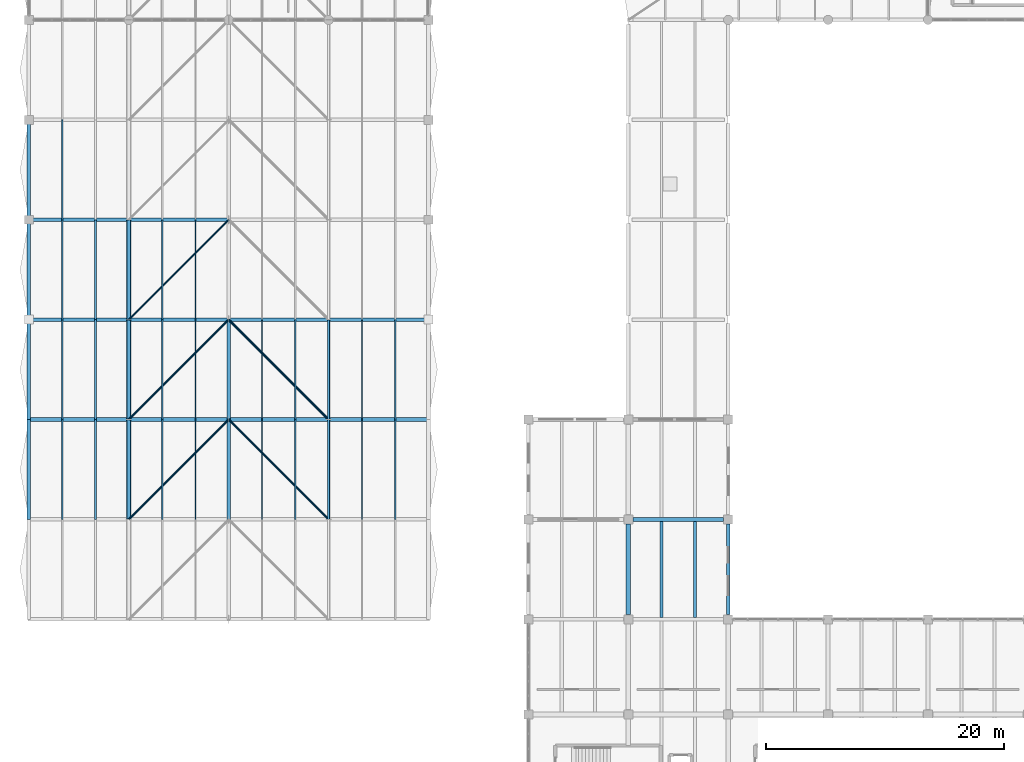
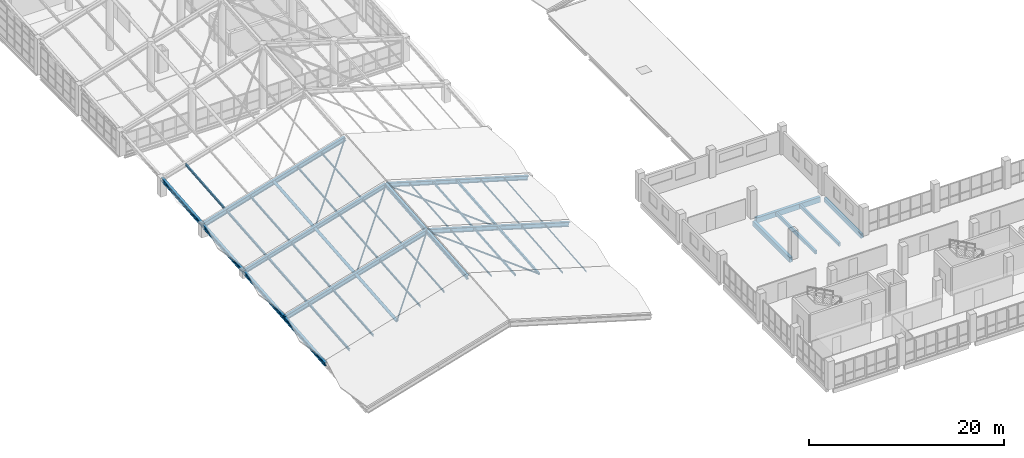
# One storey, part 13 of 95: 42 members, 5 beams.
"""IFC4 building model written with IfcOpenShell, lengths in metres."""

from ifc_helpers import new_model, si_unit, direction, frame, origin, origin_2d, place, context, subcontext, project, spatial, rectangle, hollow_rectangle, hollow_circle, i_section, extrude, material, material_profile, profile_set, type_object, element, save


model = new_model("IFC4")

# Units and contexts
model_context = context("Model", 3, precision=1e-05, world=origin(), true_north=direction((0.0, 1.0)))
body_context = subcontext(model_context, "Body", "Model", "MODEL_VIEW")
ifc_project = project(units=[si_unit("LENGTHUNIT", "METRE"), si_unit("AREAUNIT", "SQUARE_METRE"), si_unit("VOLUMEUNIT", "CUBIC_METRE"), si_unit("PLANEANGLEUNIT", "RADIAN"), si_unit("MASSUNIT", "GRAM", prefix="KILO"), si_unit("THERMODYNAMICTEMPERATUREUNIT", "KELVIN"), si_unit("POWERUNIT", "WATT")], contexts=[model_context])

# Site, building, storey
site_placement = place(None, origin())
site = spatial("IfcSite", under=ifc_project, at=site_placement, CompositionType="ELEMENT")
building_placement = place(site_placement, origin())
building = spatial("IfcBuilding", under=site, at=building_placement, Name="Mavoryth Pier Ferry Terminal", CompositionType="ELEMENT")
storey_placement = place(building_placement, frame((0.0, 0.0, 9.60009765625)))
storey = spatial("IfcBuildingStorey", under=building, at=storey_placement, Name="L02", CompositionType="ELEMENT", Elevation=9.60009765625)

# Members
ifc_material_1 = material(Name="Steel S355J2", Category="steel")
ifc_material_profile_1 = material_profile(ifc_material_1, hollow_circle(Radius=0.096923828125, WallThickness=0.010009765625, at=origin_2d()), Name="CHS 193.7x10.0", Category="steel")
ifc_profile_set_1 = profile_set([ifc_material_profile_1], Name="Steel S355J2 - CHS 193.7x10.0")
member_type_1 = type_object("IfcMemberType", Name="Brace-Plan-CHS194", PredefinedType="BRACE", material=ifc_profile_set_1)
member_1_placement = place(storey_placement, frame((25.199951171875, 30.39990234375, 1.65576171875), z_axis=(-0.682865434317, 0.682885281594, 0.259542849636), x_axis=(-0.707117056885, -0.707096505339, 0.0)))
element("IfcMember", 1, at=member_1_placement, inside=storey, type_object=member_type_1, Name="Steel Member MB-L02-0054", PredefinedType="BRACE", context=body_context, shape_type="SweptSolid", body=[
    extrude(hollow_circle(Radius=0.096923828125, WallThickness=0.010009765625, at=origin_2d()), origin(), (0.0, 0.0, 1.0), 12.301025390625),
])
member_2_placement = place(storey_placement, frame((25.199951171875, 38.800048828125, 2.3701171875), z_axis=(-0.682878207153, 0.682878207153, 0.259527856674), x_axis=(-0.707106781187, -0.707106781187, 0.0)))
element("IfcMember", 2, at=member_2_placement, inside=storey, type_object=member_type_1, Name="Steel Member MB-L02-0069", PredefinedType="BRACE", context=body_context, shape_type="SweptSolid", body=[
    extrude(hollow_circle(Radius=0.096923828125, WallThickness=0.010009765625, at=origin_2d()), origin(), (0.0, 0.0, 1.0), 12.30078125),
])
ifc_material_profile_2 = material_profile(ifc_material_1, hollow_circle(Radius=0.084228515625, WallThickness=0.008056640625, at=origin_2d()), Name="CHS 168.3x8.0", Category="steel")
ifc_profile_set_2 = profile_set([ifc_material_profile_2], Name="Steel S355J2 - CHS 168.3x8.0")
member_type_2 = type_object("IfcMemberType", Name="Brace-Roof-CHS168", PredefinedType="BRACE", material=ifc_profile_set_2)
member_3_placement = place(storey_placement, frame((8.39990234375, 30.39990234375, 1.65576171875), z_axis=(0.68287602649, 0.68287602649, 0.259539332067), x_axis=(-0.707106781187, 0.707106781187, 0.0)))
element("IfcMember", 3, at=member_3_placement, inside=storey, type_object=member_type_2, Name="Steel Member MB-L02-0053", PredefinedType="BRACE", context=body_context, shape_type="SweptSolid", body=[
    extrude(hollow_circle(Radius=0.084228515625, WallThickness=0.008056640625, at=origin_2d()), origin(), (0.0, 0.0, 1.0), 12.301025390625),
])
member_4_placement = place(storey_placement, frame((8.39990234375, 38.800048828125, 2.3701171875), z_axis=(0.682888799179, 0.682868951799, 0.259524339177), x_axis=(-0.707096505339, 0.707117056885, 0.0)))
element("IfcMember", 4, at=member_4_placement, inside=storey, type_object=member_type_2, Name="Steel Member MB-L02-0068", PredefinedType="BRACE", context=body_context, shape_type="SweptSolid", body=[
    extrude(hollow_circle(Radius=0.084228515625, WallThickness=0.008056640625, at=origin_2d()), origin(), (0.0, 0.0, 1.0), 12.30078125),
])
member_5_placement = place(storey_placement, frame((8.39990234375, 47.199951171875, 3.08447265625), z_axis=(0.682879543932, 0.682879543932, 0.259520821823), x_axis=(-0.707106781187, 0.707106781187, 0.0)))
element("IfcMember", 5, at=member_5_placement, inside=storey, type_object=member_type_2, Name="Steel Member MB-L02-0083", PredefinedType="BRACE", context=body_context, shape_type="SweptSolid", body=[
    extrude(hollow_circle(Radius=0.084228515625, WallThickness=0.008056640625, at=origin_2d()), origin(), (0.0, 0.0, 1.0), 12.301025390625),
])
ifc_material_profile_3 = material_profile(ifc_material_1, i_section(OverallWidth=0.300048828125, OverallDepth=0.449951171875, WebThickness=0.013916015625, FlangeThickness=0.02587890625, FilletRadius=0.027099609375, at=origin_2d()), Name="HEB 450", Category="steel")
ifc_profile_set_3 = profile_set([ifc_material_profile_3], Name="Steel S355J2 - HEB 450")
member_type_3 = type_object("IfcMemberType", Name="Chord-Eave-HEB450", PredefinedType="CHORD", material=ifc_profile_set_3)
member_6_placement = place(storey_placement, frame((0.0, 30.39990234375, -0.842529296875), z_axis=(0.0, 0.996403523637, 0.084734987362), x_axis=(-1.0, 0.0, 0.0)))
element("IfcMember", 6, at=member_6_placement, inside=storey, type_object=member_type_3, Name="Steel Member MB-L02-0040", PredefinedType="CHORD", context=body_context, shape_type="SweptSolid", body=[
    extrude(i_section(OverallWidth=0.300048828125, OverallDepth=0.449951171875, WebThickness=0.013916015625, FlangeThickness=0.02587890625, FilletRadius=0.027099609375, at=origin_2d()), origin(), (0.0, 0.0, 1.0), 8.430419921875),
])
member_7_placement = place(storey_placement, frame((0.0, 38.800048828125, -0.128173828125), z_axis=(0.0, 0.9964033157, 0.084737432475), x_axis=(-1.0, 0.0, 0.0)))
element("IfcMember", 7, at=member_7_placement, inside=storey, type_object=member_type_3, Name="Steel Member MB-L02-0055", PredefinedType="CHORD", context=body_context, shape_type="SweptSolid", body=[
    extrude(i_section(OverallWidth=0.300048828125, OverallDepth=0.449951171875, WebThickness=0.013916015625, FlangeThickness=0.02587890625, FilletRadius=0.027099609375, at=origin_2d()), origin(), (0.0, 0.0, 1.0), 8.43017578125),
])
member_8_placement = place(storey_placement, frame((0.0, 47.199951171875, 0.586181640625), z_axis=(0.0, 0.996403523637, 0.084734987362), x_axis=(-1.0, 0.0, 0.0)))
element("IfcMember", 8, at=member_8_placement, inside=storey, type_object=member_type_3, Name="Steel Member MB-L02-0070", PredefinedType="CHORD", context=body_context, shape_type="SweptSolid", body=[
    extrude(i_section(OverallWidth=0.300048828125, OverallDepth=0.449951171875, WebThickness=0.013916015625, FlangeThickness=0.02587890625, FilletRadius=0.027099609375, at=origin_2d()), origin(), (0.0, 0.0, 1.0), 8.430419921875),
])
member_9_placement = place(storey_placement, frame((0.0, 55.60009765625, 1.300537109375), z_axis=(0.0, 0.9964033157, 0.084737432475), x_axis=(-1.0, 0.0, 0.0)))
element("IfcMember", 9, at=member_9_placement, inside=storey, type_object=member_type_3, Name="Steel Member MB-L02-0085", PredefinedType="CHORD", context=body_context, shape_type="SweptSolid", body=[
    extrude(i_section(OverallWidth=0.300048828125, OverallDepth=0.449951171875, WebThickness=0.013916015625, FlangeThickness=0.02587890625, FilletRadius=0.027099609375, at=origin_2d()), origin(), (0.0, 0.0, 1.0), 8.43017578125),
])
ifc_material_profile_4 = material_profile(ifc_material_1, hollow_rectangle(XDim=0.199951171875, YDim=0.300048828125, WallThickness=0.012451171875, InnerFilletRadius=0.012451171875, OuterFilletRadius=0.02490234375, at=origin_2d()), Name="RHS 300x200x12.5", Category="steel")
ifc_profile_set_4 = profile_set([ifc_material_profile_4], Name="Steel S355J2 - RHS 300x200x12.5")
member_type_4 = type_object("IfcMemberType", Name="Chord-Edge-RHS300", PredefinedType="CHORD", material=ifc_profile_set_4)
member_10_placement = place(storey_placement, frame((25.199951171875, 30.39990234375, 1.65576171875), z_axis=(0.0, 0.996403523637, 0.084734987362), x_axis=(-1.0, 0.0, 0.0)))
element("IfcMember", 10, at=member_10_placement, inside=storey, type_object=member_type_4, Name="Steel Member MB-L02-0044", PredefinedType="CHORD", context=body_context, shape_type="SweptSolid", body=[
    extrude(hollow_rectangle(XDim=0.199951171875, YDim=0.300048828125, WallThickness=0.012451171875, InnerFilletRadius=0.012451171875, OuterFilletRadius=0.02490234375, at=origin_2d()), origin(), (0.0, 0.0, 1.0), 8.430419921875),
])
member_11_placement = place(storey_placement, frame((25.199951171875, 38.800048828125, 2.3701171875), z_axis=(0.0, 0.9964033157, 0.084737432475), x_axis=(-1.0, 0.0, 0.0)))
element("IfcMember", 11, at=member_11_placement, inside=storey, type_object=member_type_4, Name="Steel Member MB-L02-0059", PredefinedType="CHORD", context=body_context, shape_type="SweptSolid", body=[
    extrude(hollow_rectangle(XDim=0.199951171875, YDim=0.300048828125, WallThickness=0.012451171875, InnerFilletRadius=0.012451171875, OuterFilletRadius=0.02490234375, at=origin_2d()), origin(), (0.0, 0.0, 1.0), 8.43017578125),
])
ifc_material_profile_5 = material_profile(ifc_material_1, i_section(OverallWidth=0.300048828125, OverallDepth=0.489990234375, WebThickness=0.011962890625, FlangeThickness=0.02294921875, FilletRadius=0.027099609375, at=origin_2d()), Name="HEA 500", Category="steel")
ifc_profile_set_5 = profile_set([ifc_material_profile_5], Name="Steel S355J2 - HEA 500")
member_type_5 = type_object("IfcMemberType", Name="Chord-Ridge-HEA500", PredefinedType="CHORD", material=ifc_profile_set_5)
member_12_placement = place(storey_placement, frame((16.800048828125, 30.39990234375, 4.1337890625), z_axis=(0.0, 0.996401078186, 0.084763738653), x_axis=(-1.0, 0.0, 0.0)))
element("IfcMember", 12, at=member_12_placement, inside=storey, type_object=member_type_5, Name="Steel Member MB-L02-0041", PredefinedType="CHORD", context=body_context, shape_type="SweptSolid", body=[
    extrude(i_section(OverallWidth=0.300048828125, OverallDepth=0.489990234375, WebThickness=0.011962890625, FlangeThickness=0.02294921875, FilletRadius=0.027099609375, at=origin_2d()), origin(), (0.0, 0.0, 1.0), 8.430419921875),
])
member_13_placement = place(storey_placement, frame((16.800048828125, 38.800048828125, 4.848388671875), z_axis=(0.0, 0.996405760474, 0.084708680154), x_axis=(-1.0, 0.0, 0.0)))
element("IfcMember", 13, at=member_13_placement, inside=storey, type_object=member_type_5, Name="Steel Member MB-L02-0056", PredefinedType="CHORD", context=body_context, shape_type="SweptSolid", body=[
    extrude(i_section(OverallWidth=0.300048828125, OverallDepth=0.489990234375, WebThickness=0.011962890625, FlangeThickness=0.02294921875, FilletRadius=0.027099609375, at=origin_2d()), origin(), (0.0, 0.0, 1.0), 8.43017578125),
])
ifc_material_profile_6 = material_profile(ifc_material_1, hollow_circle(Radius=0.177734375, WallThickness=0.01611328125, at=origin_2d()), Name="CHS 355.6x16.0", Category="steel")
ifc_profile_set_6 = profile_set([ifc_material_profile_6], Name="Steel S355J2 - CHS 355.6x16.0")
member_type_6 = type_object("IfcMemberType", Name="Chord-Valley-CHS356", PredefinedType="CHORD", material=ifc_profile_set_6)
member_14_placement = place(storey_placement, frame((8.39990234375, 30.39990234375, 1.65576171875), z_axis=(0.0, 0.996403523637, 0.084734987362), x_axis=(-1.0, 0.0, 0.0)))
element("IfcMember", 14, at=member_14_placement, inside=storey, type_object=member_type_6, Name="Steel Member MB-L02-0043", PredefinedType="CHORD", context=body_context, shape_type="SweptSolid", body=[
    extrude(hollow_circle(Radius=0.177734375, WallThickness=0.01611328125, at=origin_2d()), origin(), (0.0, 0.0, 1.0), 8.430419921875),
])
member_15_placement = place(storey_placement, frame((8.39990234375, 38.800048828125, 2.3701171875), z_axis=(0.0, 0.9964033157, 0.084737432475), x_axis=(-1.0, 0.0, 0.0)))
element("IfcMember", 15, at=member_15_placement, inside=storey, type_object=member_type_6, Name="Steel Member MB-L02-0058", PredefinedType="CHORD", context=body_context, shape_type="SweptSolid", body=[
    extrude(hollow_circle(Radius=0.177734375, WallThickness=0.01611328125, at=origin_2d()), origin(), (0.0, 0.0, 1.0), 8.43017578125),
])
member_16_placement = place(storey_placement, frame((8.39990234375, 47.199951171875, 3.08447265625), z_axis=(0.0, 0.996403523637, 0.084734987362), x_axis=(-1.0, 0.0, 0.0)))
element("IfcMember", 16, at=member_16_placement, inside=storey, type_object=member_type_6, Name="Steel Member MB-L02-0073", PredefinedType="CHORD", context=body_context, shape_type="SweptSolid", body=[
    extrude(hollow_circle(Radius=0.177734375, WallThickness=0.01611328125, at=origin_2d()), origin(), (0.0, 0.0, 1.0), 8.430419921875),
])

# Beams
ifc_material_2 = material(Name="Concrete C35/45", Category="concrete")
ifc_material_profile_7 = material_profile(ifc_material_2, rectangle(XDim=0.35009765625, YDim=0.60009765625, at=origin_2d()), Name="RC 350x600", Category="concrete")
ifc_profile_set_7 = profile_set([ifc_material_profile_7], Name="Concrete C35/45 - RC 350x600")
beam_type_1 = type_object("IfcBeamType", Name="Girder-RC-350x600", PredefinedType="BEAM", material=ifc_profile_set_7)
beam_1_placement = place(storey_placement, frame((50.39990234375, 22.39990234375, -0.56005859375), z_axis=(0.0, 1.0, 0.0), x_axis=(-1.0, 0.0, 0.0)))
element("IfcBeam", 17, at=beam_1_placement, inside=storey, type_object=beam_type_1, Name="Beam B02-BG08-1033", PredefinedType="BEAM", context=body_context, shape_type="SweptSolid", body=[
    extrude(rectangle(XDim=0.35009765625, YDim=0.60009765625, at=origin_2d()), origin(), (0.0, 0.0, 1.0), 7.60009765625),
])
ifc_material_profile_8 = material_profile(ifc_material_2, rectangle(XDim=0.35009765625, YDim=0.64990234375, at=origin_2d()), Name="RC 350x650", Category="concrete")
ifc_profile_set_8 = profile_set([ifc_material_profile_8], Name="Concrete C35/45 - RC 350x650")
beam_type_2 = type_object("IfcBeamType", Name="Girder-RC-350x650", PredefinedType="BEAM", material=ifc_profile_set_8)
beam_2_placement = place(storey_placement, frame((50.800048828125, 30.39990234375, -0.585205078125), z_axis=(1.0, 0.0, 0.0), x_axis=(0.0, 1.0, 0.0)))
element("IfcBeam", 18, at=beam_2_placement, inside=storey, type_object=beam_type_2, Name="Beam B02-BG07-1029", PredefinedType="BEAM", context=body_context, shape_type="SweptSolid", body=[
    extrude(rectangle(XDim=0.35009765625, YDim=0.64990234375, at=origin_2d()), origin(), (0.0, 0.0, 1.0), 7.599853515625),
])
ifc_material_profile_9 = material_profile(ifc_material_2, rectangle(XDim=0.239990234375, YDim=0.419921875, at=origin_2d()), Name="RC 240x420", Category="concrete")
ifc_profile_set_9 = profile_set([ifc_material_profile_9], Name="Concrete C35/45 - RC 240x420")
beam_type_3 = type_object("IfcBeamType", Name="Joist-RC-240x420", PredefinedType="JOIST", material=ifc_profile_set_9)
for number, where, z_axis, x_axis, name in (
    (19, (53.199951171875, 22.14990234375, -0.47021484375), (0.0, 1.0, 0.0), (-1.0, 0.0, 0.0), "Beam B02-BJ04-1041"),
    (20, (56.0, 22.14990234375, -0.47021484375), (0.0, 1.0, 0.0), (-1.0, 0.0, 0.0), "Beam B02-BJ04-1042"),
):
    element("IfcBeam", number, at=place(storey_placement, frame(where, z_axis=z_axis, x_axis=x_axis)), inside=storey, type_object=beam_type_3, Name=name, PredefinedType="JOIST", context=body_context, shape_type="SweptSolid", body=[
        extrude(rectangle(XDim=0.239990234375, YDim=0.419921875, at=origin_2d()), origin(), (0.0, 0.0, 1.0), 8.0751953125),
    ])

# Members
ifc_material_profile_10 = material_profile(ifc_material_1, i_section(OverallWidth=0.10009765625, OverallDepth=0.199951171875, WebThickness=0.005615234375, FlangeThickness=0.008544921875, FilletRadius=0.011962890625, at=origin_2d()), Name="IPE 200", Category="steel")
ifc_profile_set_10 = profile_set([ifc_material_profile_10], Name="Steel S355J2 - IPE 200")
member_type_7 = type_object("IfcMemberType", Name="Purlin-Roof-IPE200", PredefinedType="PURLIN", material=ifc_profile_set_10)
member_17_placement = place(storey_placement, frame((19.60009765625, 30.39990234375, 3.301513671875), z_axis=(0.0, 0.996405968271, 0.084706235859), x_axis=(-1.0, 0.0, 0.0)))
element("IfcMember", 21, at=member_17_placement, inside=storey, type_object=member_type_7, Name="Steel Member MB-L02-0049", PredefinedType="PURLIN", context=body_context, shape_type="SweptSolid", body=[
    extrude(i_section(OverallWidth=0.10009765625, OverallDepth=0.199951171875, WebThickness=0.005615234375, FlangeThickness=0.008544921875, FilletRadius=0.011962890625, at=origin_2d()), origin(), (0.0, 0.0, 1.0), 8.430419921875),
])
member_18_placement = place(storey_placement, frame((19.60009765625, 38.800048828125, 4.015625), z_axis=(0.0, 0.9964033157, 0.084737432475), x_axis=(-1.0, 0.0, 0.0)))
element("IfcMember", 22, at=member_18_placement, inside=storey, type_object=member_type_7, Name="Steel Member MB-L02-0064", PredefinedType="PURLIN", context=body_context, shape_type="SweptSolid", body=[
    extrude(i_section(OverallWidth=0.10009765625, OverallDepth=0.199951171875, WebThickness=0.005615234375, FlangeThickness=0.008544921875, FilletRadius=0.011962890625, at=origin_2d()), origin(), (0.0, 0.0, 1.0), 8.43017578125),
])
ifc_material_profile_11 = material_profile(ifc_material_1, i_section(OverallWidth=0.110107421875, OverallDepth=0.219970703125, WebThickness=0.005859375, FlangeThickness=0.00927734375, FilletRadius=0.011962890625, at=origin_2d()), Name="IPE 220", Category="steel")
ifc_profile_set_11 = profile_set([ifc_material_profile_11], Name="Steel S355J2 - IPE 220")
member_type_8 = type_object("IfcMemberType", Name="Purlin-Roof-IPE220", PredefinedType="PURLIN", material=ifc_profile_set_11)
member_19_placement = place(storey_placement, frame((14.0, 30.39990234375, 3.301513671875), z_axis=(0.0, 0.996405968271, 0.084706235859), x_axis=(-1.0, 0.0, 0.0)))
element("IfcMember", 23, at=member_19_placement, inside=storey, type_object=member_type_8, Name="Steel Member MB-L02-0048", PredefinedType="PURLIN", context=body_context, shape_type="SweptSolid", body=[
    extrude(i_section(OverallWidth=0.110107421875, OverallDepth=0.219970703125, WebThickness=0.005859375, FlangeThickness=0.00927734375, FilletRadius=0.011962890625, at=origin_2d()), origin(), (0.0, 0.0, 1.0), 8.430419921875),
])
member_20_placement = place(storey_placement, frame((14.0, 38.800048828125, 4.015625), z_axis=(0.0, 0.9964033157, 0.084737432475), x_axis=(-1.0, 0.0, 0.0)))
element("IfcMember", 24, at=member_20_placement, inside=storey, type_object=member_type_8, Name="Steel Member MB-L02-0063", PredefinedType="PURLIN", context=body_context, shape_type="SweptSolid", body=[
    extrude(i_section(OverallWidth=0.110107421875, OverallDepth=0.219970703125, WebThickness=0.005859375, FlangeThickness=0.00927734375, FilletRadius=0.011962890625, at=origin_2d()), origin(), (0.0, 0.0, 1.0), 8.43017578125),
])
member_21_placement = place(storey_placement, frame((14.0, 47.199951171875, 4.72998046875), z_axis=(0.0, 0.996403523637, 0.084734987362), x_axis=(-1.0, 0.0, 0.0)))
element("IfcMember", 25, at=member_21_placement, inside=storey, type_object=member_type_8, Name="Steel Member MB-L02-0078", PredefinedType="PURLIN", context=body_context, shape_type="SweptSolid", body=[
    extrude(i_section(OverallWidth=0.110107421875, OverallDepth=0.219970703125, WebThickness=0.005859375, FlangeThickness=0.00927734375, FilletRadius=0.011962890625, at=origin_2d()), origin(), (0.0, 0.0, 1.0), 8.430419921875),
])
ifc_material_profile_12 = material_profile(ifc_material_1, i_section(OverallWidth=0.1201171875, OverallDepth=0.239990234375, WebThickness=0.006103515625, FlangeThickness=0.009765625, FilletRadius=0.014892578125, at=origin_2d()), Name="IPE 240", Category="steel")
ifc_profile_set_12 = profile_set([ifc_material_profile_12], Name="Steel S355J2 - IPE 240")
member_type_9 = type_object("IfcMemberType", Name="Purlin-Roof-IPE240", PredefinedType="PURLIN", material=ifc_profile_set_12)
member_22_placement = place(storey_placement, frame((11.199951171875, 30.39990234375, 2.468505859375), z_axis=(0.0, 0.996403523637, 0.084734987362), x_axis=(-1.0, 0.0, 0.0)))
element("IfcMember", 26, at=member_22_placement, inside=storey, type_object=member_type_9, Name="Steel Member MB-L02-0047", PredefinedType="PURLIN", context=body_context, shape_type="SweptSolid", body=[
    extrude(i_section(OverallWidth=0.1201171875, OverallDepth=0.239990234375, WebThickness=0.006103515625, FlangeThickness=0.009765625, FilletRadius=0.014892578125, at=origin_2d()), origin(), (0.0, 0.0, 1.0), 8.430419921875),
])
member_23_placement = place(storey_placement, frame((11.199951171875, 38.800048828125, 3.182861328125), z_axis=(0.0, 0.9964033157, 0.084737432475), x_axis=(-1.0, 0.0, 0.0)))
element("IfcMember", 27, at=member_23_placement, inside=storey, type_object=member_type_9, Name="Steel Member MB-L02-0062", PredefinedType="PURLIN", context=body_context, shape_type="SweptSolid", body=[
    extrude(i_section(OverallWidth=0.1201171875, OverallDepth=0.239990234375, WebThickness=0.006103515625, FlangeThickness=0.009765625, FilletRadius=0.014892578125, at=origin_2d()), origin(), (0.0, 0.0, 1.0), 8.43017578125),
])
member_24_placement = place(storey_placement, frame((11.199951171875, 47.199951171875, 3.897216796875), z_axis=(0.0, 0.996403523637, 0.084734987362), x_axis=(-1.0, 0.0, 0.0)))
element("IfcMember", 28, at=member_24_placement, inside=storey, type_object=member_type_9, Name="Steel Member MB-L02-0077", PredefinedType="PURLIN", context=body_context, shape_type="SweptSolid", body=[
    extrude(i_section(OverallWidth=0.1201171875, OverallDepth=0.239990234375, WebThickness=0.006103515625, FlangeThickness=0.009765625, FilletRadius=0.014892578125, at=origin_2d()), origin(), (0.0, 0.0, 1.0), 8.430419921875),
])
ifc_material_profile_13 = material_profile(ifc_material_1, i_section(OverallWidth=0.135009765625, OverallDepth=0.27001953125, WebThickness=0.006591796875, FlangeThickness=0.01025390625, FilletRadius=0.014892578125, at=origin_2d()), Name="IPE 270", Category="steel")
ifc_profile_set_13 = profile_set([ifc_material_profile_13], Name="Steel S355J2 - IPE 270")
member_type_10 = type_object("IfcMemberType", Name="Purlin-Roof-IPE270", PredefinedType="PURLIN", material=ifc_profile_set_13)
member_25_placement = place(storey_placement, frame((5.60009765625, 30.39990234375, 0.80322265625), z_axis=(0.0, 0.996405968271, 0.084706235859), x_axis=(-1.0, 0.0, 0.0)))
element("IfcMember", 29, at=member_25_placement, inside=storey, type_object=member_type_10, Name="Steel Member MB-L02-0046", PredefinedType="PURLIN", context=body_context, shape_type="SweptSolid", body=[
    extrude(i_section(OverallWidth=0.135009765625, OverallDepth=0.27001953125, WebThickness=0.006591796875, FlangeThickness=0.01025390625, FilletRadius=0.014892578125, at=origin_2d()), origin(), (0.0, 0.0, 1.0), 8.430419921875),
])
member_26_placement = place(storey_placement, frame((5.60009765625, 38.800048828125, 1.517333984375), z_axis=(0.0, 0.9964033157, 0.084737432475), x_axis=(-1.0, 0.0, 0.0)))
element("IfcMember", 30, at=member_26_placement, inside=storey, type_object=member_type_10, Name="Steel Member MB-L02-0061", PredefinedType="PURLIN", context=body_context, shape_type="SweptSolid", body=[
    extrude(i_section(OverallWidth=0.135009765625, OverallDepth=0.27001953125, WebThickness=0.006591796875, FlangeThickness=0.01025390625, FilletRadius=0.014892578125, at=origin_2d()), origin(), (0.0, 0.0, 1.0), 8.43017578125),
])
member_27_placement = place(storey_placement, frame((5.60009765625, 47.199951171875, 2.231689453125), z_axis=(0.0, 0.996403523637, 0.084734987362), x_axis=(-1.0, 0.0, 0.0)))
element("IfcMember", 31, at=member_27_placement, inside=storey, type_object=member_type_10, Name="Steel Member MB-L02-0076", PredefinedType="PURLIN", context=body_context, shape_type="SweptSolid", body=[
    extrude(i_section(OverallWidth=0.135009765625, OverallDepth=0.27001953125, WebThickness=0.006591796875, FlangeThickness=0.01025390625, FilletRadius=0.014892578125, at=origin_2d()), origin(), (0.0, 0.0, 1.0), 8.430419921875),
])
ifc_material_profile_14 = material_profile(ifc_material_1, i_section(OverallWidth=0.14990234375, OverallDepth=0.300048828125, WebThickness=0.007080078125, FlangeThickness=0.0107421875, FilletRadius=0.014892578125, at=origin_2d()), Name="IPE 300", Category="steel")
ifc_profile_set_14 = profile_set([ifc_material_profile_14], Name="Steel S355J2 - IPE 300")
member_type_11 = type_object("IfcMemberType", Name="Purlin-Roof-IPE300", PredefinedType="PURLIN", material=ifc_profile_set_14)
member_28_placement = place(storey_placement, frame((2.800048828125, 30.39990234375, -0.02978515625), z_axis=(0.0, 0.996403523637, 0.084734987362), x_axis=(-1.0, 0.0, 0.0)))
element("IfcMember", 32, at=member_28_placement, inside=storey, type_object=member_type_11, Name="Steel Member MB-L02-0045", PredefinedType="PURLIN", context=body_context, shape_type="SweptSolid", body=[
    extrude(i_section(OverallWidth=0.14990234375, OverallDepth=0.300048828125, WebThickness=0.007080078125, FlangeThickness=0.0107421875, FilletRadius=0.014892578125, at=origin_2d()), origin(), (0.0, 0.0, 1.0), 8.430419921875),
])
member_29_placement = place(storey_placement, frame((2.800048828125, 38.800048828125, 0.6845703125), z_axis=(0.0, 0.9964033157, 0.084737432475), x_axis=(-1.0, 0.0, 0.0)))
element("IfcMember", 33, at=member_29_placement, inside=storey, type_object=member_type_11, Name="Steel Member MB-L02-0060", PredefinedType="PURLIN", context=body_context, shape_type="SweptSolid", body=[
    extrude(i_section(OverallWidth=0.14990234375, OverallDepth=0.300048828125, WebThickness=0.007080078125, FlangeThickness=0.0107421875, FilletRadius=0.014892578125, at=origin_2d()), origin(), (0.0, 0.0, 1.0), 8.43017578125),
])
member_30_placement = place(storey_placement, frame((2.800048828125, 47.199951171875, 1.39892578125), z_axis=(0.0, 0.996403523637, 0.084734987362), x_axis=(-1.0, 0.0, 0.0)))
element("IfcMember", 34, at=member_30_placement, inside=storey, type_object=member_type_11, Name="Steel Member MB-L02-0075", PredefinedType="PURLIN", context=body_context, shape_type="SweptSolid", body=[
    extrude(i_section(OverallWidth=0.14990234375, OverallDepth=0.300048828125, WebThickness=0.007080078125, FlangeThickness=0.0107421875, FilletRadius=0.014892578125, at=origin_2d()), origin(), (0.0, 0.0, 1.0), 8.430419921875),
])
member_31_placement = place(storey_placement, frame((2.800048828125, 55.60009765625, 2.11328125), z_axis=(0.0, 0.9964033157, 0.084737432475), x_axis=(-1.0, 0.0, 0.0)))
element("IfcMember", 35, at=member_31_placement, inside=storey, type_object=member_type_11, Name="Steel Member MB-L02-0090", PredefinedType="PURLIN", context=body_context, shape_type="SweptSolid", body=[
    extrude(i_section(OverallWidth=0.14990234375, OverallDepth=0.300048828125, WebThickness=0.007080078125, FlangeThickness=0.0107421875, FilletRadius=0.014892578125, at=origin_2d()), origin(), (0.0, 0.0, 1.0), 8.43017578125),
])
ifc_material_profile_15 = material_profile(ifc_material_1, hollow_rectangle(XDim=0.080078125, YDim=0.159912109375, WallThickness=0.00634765625, InnerFilletRadius=0.00634765625, OuterFilletRadius=0.0126953125, at=origin_2d()), Name="RHS 160x80x6.3", Category="steel")
ifc_profile_set_15 = profile_set([ifc_material_profile_15], Name="Steel S355J2 - RHS 160x80x6.3")
member_type_12 = type_object("IfcMemberType", Name="Purlin-Tube-RHS160", PredefinedType="PURLIN", material=ifc_profile_set_15)
member_32_placement = place(storey_placement, frame((30.800048828125, 30.39990234375, -0.02978515625), z_axis=(0.0, 0.996403523637, 0.084734987362), x_axis=(-1.0, 0.0, 0.0)))
element("IfcMember", 36, at=member_32_placement, inside=storey, type_object=member_type_12, Name="Steel Member MB-L02-0052", PredefinedType="PURLIN", context=body_context, shape_type="SweptSolid", body=[
    extrude(hollow_rectangle(XDim=0.080078125, YDim=0.159912109375, WallThickness=0.00634765625, InnerFilletRadius=0.00634765625, OuterFilletRadius=0.0126953125, at=origin_2d()), origin(), (0.0, 0.0, 1.0), 8.430419921875),
])
member_33_placement = place(storey_placement, frame((30.800048828125, 38.800048828125, 0.6845703125), z_axis=(0.0, 0.9964033157, 0.084737432475), x_axis=(-1.0, 0.0, 0.0)))
element("IfcMember", 37, at=member_33_placement, inside=storey, type_object=member_type_12, Name="Steel Member MB-L02-0067", PredefinedType="PURLIN", context=body_context, shape_type="SweptSolid", body=[
    extrude(hollow_rectangle(XDim=0.080078125, YDim=0.159912109375, WallThickness=0.00634765625, InnerFilletRadius=0.00634765625, OuterFilletRadius=0.0126953125, at=origin_2d()), origin(), (0.0, 0.0, 1.0), 8.43017578125),
])
ifc_material_profile_16 = material_profile(ifc_material_1, hollow_rectangle(XDim=0.10009765625, YDim=0.199951171875, WallThickness=0.008056640625, InnerFilletRadius=0.008056640625, OuterFilletRadius=0.01611328125, at=origin_2d()), Name="RHS 200x100x8.0", Category="steel")
ifc_profile_set_16 = profile_set([ifc_material_profile_16], Name="Steel S355J2 - RHS 200x100x8.0")
member_type_13 = type_object("IfcMemberType", Name="Purlin-Tube-RHS200", PredefinedType="PURLIN", material=ifc_profile_set_16)
member_34_placement = place(storey_placement, frame((28.0, 30.39990234375, 0.80322265625), z_axis=(0.0, 0.996405968271, 0.084706235859), x_axis=(-1.0, 0.0, 0.0)))
element("IfcMember", 38, at=member_34_placement, inside=storey, type_object=member_type_13, Name="Steel Member MB-L02-0051", PredefinedType="PURLIN", context=body_context, shape_type="SweptSolid", body=[
    extrude(hollow_rectangle(XDim=0.10009765625, YDim=0.199951171875, WallThickness=0.008056640625, InnerFilletRadius=0.008056640625, OuterFilletRadius=0.01611328125, at=origin_2d()), origin(), (0.0, 0.0, 1.0), 8.430419921875),
])
member_35_placement = place(storey_placement, frame((28.0, 38.800048828125, 1.517333984375), z_axis=(0.0, 0.9964033157, 0.084737432475), x_axis=(-1.0, 0.0, 0.0)))
element("IfcMember", 39, at=member_35_placement, inside=storey, type_object=member_type_13, Name="Steel Member MB-L02-0066", PredefinedType="PURLIN", context=body_context, shape_type="SweptSolid", body=[
    extrude(hollow_rectangle(XDim=0.10009765625, YDim=0.199951171875, WallThickness=0.008056640625, InnerFilletRadius=0.008056640625, OuterFilletRadius=0.01611328125, at=origin_2d()), origin(), (0.0, 0.0, 1.0), 8.43017578125),
])
ifc_material_profile_17 = material_profile(ifc_material_1, hollow_rectangle(XDim=0.14990234375, YDim=0.25, WallThickness=0.010009765625, InnerFilletRadius=0.010009765625, OuterFilletRadius=0.02001953125, at=origin_2d()), Name="RHS 250x150x10.0", Category="steel")
ifc_profile_set_17 = profile_set([ifc_material_profile_17], Name="Steel S355J2 - RHS 250x150x10.0")
member_type_14 = type_object("IfcMemberType", Name="Purlin-Tube-RHS250", PredefinedType="PURLIN", material=ifc_profile_set_17)
member_36_placement = place(storey_placement, frame((22.39990234375, 30.39990234375, 2.468505859375), z_axis=(0.0, 0.996403523637, 0.084734987362), x_axis=(-1.0, 0.0, 0.0)))
element("IfcMember", 40, at=member_36_placement, inside=storey, type_object=member_type_14, Name="Steel Member MB-L02-0050", PredefinedType="PURLIN", context=body_context, shape_type="SweptSolid", body=[
    extrude(hollow_rectangle(XDim=0.14990234375, YDim=0.25, WallThickness=0.010009765625, InnerFilletRadius=0.010009765625, OuterFilletRadius=0.02001953125, at=origin_2d()), origin(), (0.0, 0.0, 1.0), 8.430419921875),
])
member_37_placement = place(storey_placement, frame((22.39990234375, 38.800048828125, 3.182861328125), z_axis=(0.0, 0.9964033157, 0.084737432475), x_axis=(-1.0, 0.0, 0.0)))
element("IfcMember", 41, at=member_37_placement, inside=storey, type_object=member_type_14, Name="Steel Member MB-L02-0065", PredefinedType="PURLIN", context=body_context, shape_type="SweptSolid", body=[
    extrude(hollow_rectangle(XDim=0.14990234375, YDim=0.25, WallThickness=0.010009765625, InnerFilletRadius=0.010009765625, OuterFilletRadius=0.02001953125, at=origin_2d()), origin(), (0.0, 0.0, 1.0), 8.43017578125),
])
ifc_material_profile_18 = material_profile(ifc_material_1, i_section(OverallWidth=0.300048828125, OverallDepth=0.5, WebThickness=0.014404296875, FlangeThickness=0.028076171875, FilletRadius=0.027099609375, at=origin_2d()), Name="HEB 500", Category="steel")
ifc_profile_set_18 = profile_set([ifc_material_profile_18], Name="Steel S355J2 - HEB 500")
member_type_15 = type_object("IfcMemberType", Name="Rafter-Folded-HEB500", PredefinedType="RAFTER", material=ifc_profile_set_18)
for number, where, z_axis, x_axis, name in (
    (42, (0.0, 47.199951171875, 0.586181640625), (0.958821022036, 0.0, 0.284010999261), (0.0, 1.0, 0.0), "Steel Member MB-L02-0007"),
    (43, (16.800048828125, 47.199951171875, 5.5625), (0.958821022036, 0.0, -0.284010999261), (0.0, 1.0, 0.0), "Steel Member MB-L02-0008"),
):
    element("IfcMember", number, at=place(storey_placement, frame(where, z_axis=z_axis, x_axis=x_axis)), inside=storey, type_object=member_type_15, Name=name, PredefinedType="RAFTER", context=body_context, shape_type="SweptSolid", body=[
        extrude(i_section(OverallWidth=0.300048828125, OverallDepth=0.5, WebThickness=0.014404296875, FlangeThickness=0.028076171875, FilletRadius=0.027099609375, at=origin_2d()), origin(), (0.0, 0.0, 1.0), 17.521484375),
    ])
ifc_material_profile_19 = material_profile(ifc_material_1, i_section(OverallWidth=0.300048828125, OverallDepth=0.550048828125, WebThickness=0.014892578125, FlangeThickness=0.029052734375, FilletRadius=0.027099609375, at=origin_2d()), Name="HEB 550", Category="steel")
ifc_profile_set_19 = profile_set([ifc_material_profile_19], Name="Steel S355J2 - HEB 550")
member_type_16 = type_object("IfcMemberType", Name="Rafter-Folded-HEB550", PredefinedType="RAFTER", material=ifc_profile_set_19)
for number, where, z_axis, x_axis, name in (
    (44, (0.0, 38.800048828125, -0.128173828125), (0.958817227595, 0.0, 0.284023808979), (0.0, 1.0, 0.0), "Steel Member MB-L02-0005"),
    (45, (16.800048828125, 38.800048828125, 4.848388671875), (0.958817227595, 0.0, -0.284023808979), (0.0, 1.0, 0.0), "Steel Member MB-L02-0006"),
):
    element("IfcMember", number, at=place(storey_placement, frame(where, z_axis=z_axis, x_axis=x_axis)), inside=storey, type_object=member_type_16, Name=name, PredefinedType="RAFTER", context=body_context, shape_type="SweptSolid", body=[
        extrude(i_section(OverallWidth=0.300048828125, OverallDepth=0.550048828125, WebThickness=0.014892578125, FlangeThickness=0.029052734375, FilletRadius=0.027099609375, at=origin_2d()), origin(), (0.0, 0.0, 1.0), 17.521728515625),
    ])
member_38_placement = place(storey_placement, frame((0.0, 55.60009765625, 1.300537109375), z_axis=(0.958821022036, 0.0, 0.284010999261), x_axis=(0.0, 1.0, 0.0)))
element("IfcMember", 46, at=member_38_placement, inside=storey, type_object=member_type_16, Name="Steel Member MB-L02-0009", PredefinedType="RAFTER", context=body_context, shape_type="SweptSolid", body=[
    extrude(i_section(OverallWidth=0.300048828125, OverallDepth=0.550048828125, WebThickness=0.014892578125, FlangeThickness=0.029052734375, FilletRadius=0.027099609375, at=origin_2d()), origin(), (0.0, 0.0, 1.0), 17.521484375),
])

# Beam
ifc_material_profile_20 = material_profile(ifc_material_2, rectangle(XDim=0.300048828125, YDim=0.5400390625, at=origin_2d()), Name="RC 300x540", Category="concrete")
ifc_profile_set_20 = profile_set([ifc_material_profile_20], Name="Concrete C35/45 - RC 300x540")
beam_type_4 = type_object("IfcBeamType", Name="Spandrel-RC-300x540", PredefinedType="SPANDREL", material=ifc_profile_set_20)
beam_3_placement = place(storey_placement, frame((58.800048828125, 22.39990234375, -0.530029296875), z_axis=(0.0, 1.0, 0.0), x_axis=(-1.0, 0.0, 0.0)))
element("IfcBeam", 47, at=beam_3_placement, inside=storey, type_object=beam_type_4, Name="Beam B02-SP02-1035", PredefinedType="SPANDREL", context=body_context, shape_type="SweptSolid", body=[
    extrude(rectangle(XDim=0.300048828125, YDim=0.5400390625, at=origin_2d()), origin(), (0.0, 0.0, 1.0), 7.60009765625),
])

save(model, "model.ifc")
